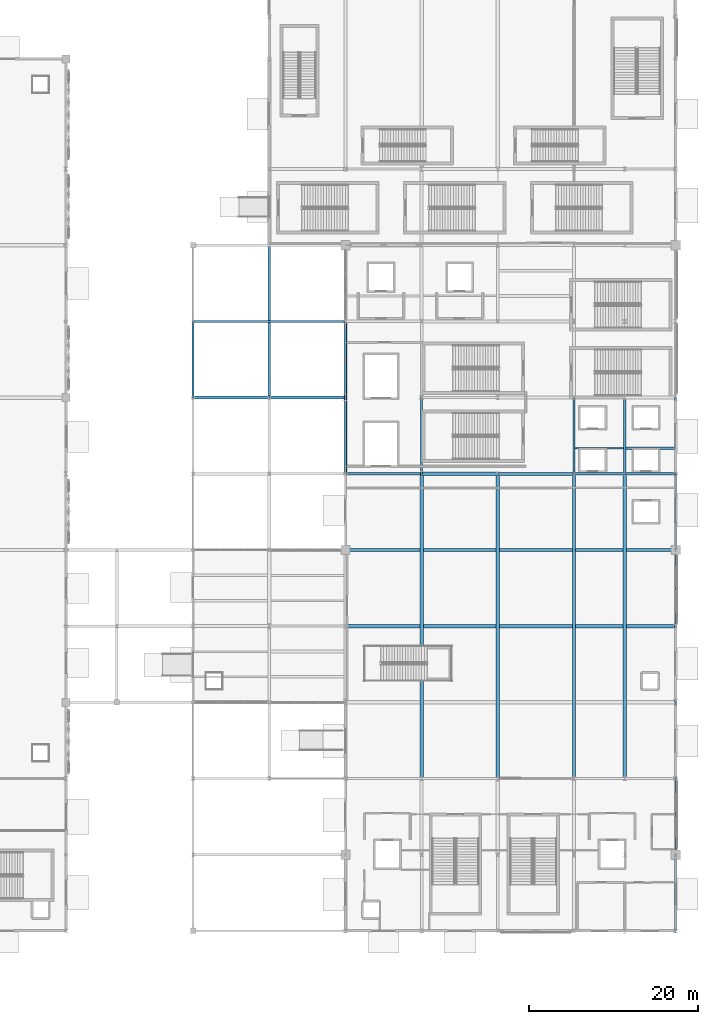
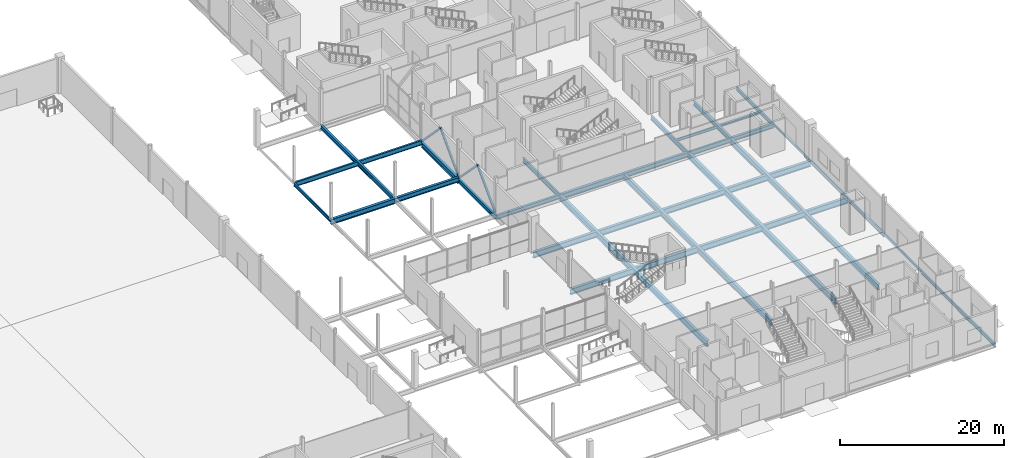
# One storey, part 34 of 94: 30 beams, 4 members.
"""IFC4 building model written with IfcOpenShell, lengths in metres."""

from ifc_helpers import new_model, si_unit, direction, frame, origin, origin_2d, place, context, subcontext, project, spatial, hollow_rectangle, i_section, extrude, material, material_profile, profile_set, type_object, element, save


model = new_model("IFC4")

# Units and contexts
model_context = context("Model", 3, precision=1e-05, world=origin(), true_north=direction((0.0, 1.0)))
body_context = subcontext(model_context, "Body", "Model", "MODEL_VIEW")
ifc_project = project(units=[si_unit("LENGTHUNIT", "METRE"), si_unit("AREAUNIT", "SQUARE_METRE"), si_unit("VOLUMEUNIT", "CUBIC_METRE"), si_unit("PLANEANGLEUNIT", "RADIAN"), si_unit("MASSUNIT", "GRAM", prefix="KILO")], contexts=[model_context])

# Site, building, storey
site_placement = place(None, origin())
site = spatial("IfcSite", under=ifc_project, at=site_placement, CompositionType="ELEMENT")
building_placement = place(site_placement, origin())
building = spatial("IfcBuilding", under=site, at=building_placement, Name="Qamarlyn Nura Convention Centre", CompositionType="ELEMENT")
storey_placement = place(building_placement, origin())
storey = spatial("IfcBuildingStorey", under=building, at=storey_placement, Name="L00", CompositionType="ELEMENT", Elevation=0.0)

# Beams
ifc_material_1 = material(Name="Steel ASTM A992", Category="steel")
ifc_material_profile_1 = material_profile(ifc_material_1, i_section(OverallWidth=0.323974609375, OverallDepth=0.611083984375, WebThickness=0.0126953125, FlangeThickness=0.01904296875, FilletRadius=0.01611328125, at=origin_2d()), Name="W610X155")
ifc_profile_set_1 = profile_set([ifc_material_profile_1], Name="Steel ASTM A992")
beam_type_1 = type_object("IfcBeamType", Name="BM-GIRD-610", PredefinedType="BEAM", material=ifc_profile_set_1)
beam_1_placement = place(storey_placement, frame((153.0, 54.0, -0.58544921875), z_axis=(1.0, 0.0, 0.0), x_axis=(0.0, 1.0, 0.0)))
element("IfcBeam", 1, at=beam_1_placement, inside=storey, type_object=beam_type_1, Name="L00 girder G 13-14", PredefinedType="BEAM", context=body_context, shape_type="SweptSolid", body=[
    extrude(i_section(OverallWidth=0.323974609375, OverallDepth=0.611083984375, WebThickness=0.0126953125, FlangeThickness=0.01904296875, FilletRadius=0.01611328125, at=origin_2d()), origin(), (0.0, 0.0, 1.0), 9.0),
])
beam_2_placement = place(storey_placement, frame((186.0, 54.0, -0.58544921875), z_axis=(1.0, 0.0, 0.0), x_axis=(0.0, 1.0, 0.0)))
element("IfcBeam", 2, at=beam_2_placement, inside=storey, type_object=beam_type_1, Name="L00 girder G 17-18", PredefinedType="BEAM", context=body_context, shape_type="SweptSolid", body=[
    extrude(i_section(OverallWidth=0.323974609375, OverallDepth=0.611083984375, WebThickness=0.0126953125, FlangeThickness=0.01904296875, FilletRadius=0.01611328125, at=origin_2d()), origin(), (0.0, 0.0, 1.0), 6.0),
])
beam_3_placement = place(storey_placement, frame((144.0, 63.0, -0.305419921875), z_axis=(0.0, 1.0, 0.0), x_axis=(-1.0, 0.0, 0.0)))
element("IfcBeam", 3, at=beam_3_placement, inside=storey, type_object=beam_type_1, Name="L00 girder 12 H-K", PredefinedType="BEAM", context=body_context, shape_type="SweptSolid", body=[
    extrude(i_section(OverallWidth=0.323974609375, OverallDepth=0.611083984375, WebThickness=0.0126953125, FlangeThickness=0.01904296875, FilletRadius=0.01611328125, at=origin_2d()), origin(), (0.0, 0.0, 1.0), 18.0),
])
for number, where, z_axis, x_axis, name in (
    (4, (153.0, 54.0, -0.5654296875), (0.0, 1.0, 0.0), (-1.0, 0.0, 0.0), "L00 girder 13 G-H"),
    (5, (186.0, 54.0, -0.5654296875), (0.0, 1.0, 0.0), (-1.0, 0.0, 0.0), "L00 girder 17 G-H"),
):
    element("IfcBeam", number, at=place(storey_placement, frame(where, z_axis=z_axis, x_axis=x_axis)), inside=storey, type_object=beam_type_1, Name=name, PredefinedType="BEAM", context=body_context, shape_type="SweptSolid", body=[
        extrude(i_section(OverallWidth=0.323974609375, OverallDepth=0.611083984375, WebThickness=0.0126953125, FlangeThickness=0.01904296875, FilletRadius=0.01611328125, at=origin_2d()), origin(), (0.0, 0.0, 1.0), 9.0),
    ])
ifc_material_profile_2 = material_profile(ifc_material_1, i_section(OverallWidth=0.35498046875, OverallDepth=0.695068359375, WebThickness=0.015380859375, FlangeThickness=0.02490234375, FilletRadius=0.01806640625, at=origin_2d()), Name="W690X217")
ifc_profile_set_2 = profile_set([ifc_material_profile_2], Name="Steel ASTM A992")
beam_type_2 = type_object("IfcBeamType", Name="BM-GIRD-690A", PredefinedType="BEAM", material=ifc_profile_set_2)
for number, where, z_axis, x_axis, name in (
    (6, (171.0, 54.0, -0.62744140625), (1.0, 0.0, 0.0), (0.0, 1.0, 0.0), "L00 girder G 15-16"),
    (7, (144.0, 63.0, -0.347412109375), (1.0, 0.0, 0.0), (0.0, 1.0, 0.0), "L00 girder H 12-13"),
):
    element("IfcBeam", number, at=place(storey_placement, frame(where, z_axis=z_axis, x_axis=x_axis)), inside=storey, type_object=beam_type_2, Name=name, PredefinedType="BEAM", context=body_context, shape_type="SweptSolid", body=[
        extrude(i_section(OverallWidth=0.35498046875, OverallDepth=0.695068359375, WebThickness=0.015380859375, FlangeThickness=0.02490234375, FilletRadius=0.01806640625, at=origin_2d()), origin(), (0.0, 0.0, 1.0), 9.0),
    ])
ifc_material_profile_3 = material_profile(ifc_material_1, i_section(OverallWidth=0.25390625, OverallDepth=0.68408203125, WebThickness=0.012451171875, FlangeThickness=0.01904296875, FilletRadius=0.01806640625, at=origin_2d()), Name="W690X140")
ifc_profile_set_3 = profile_set([ifc_material_profile_3], Name="Steel ASTM A992")
beam_type_3 = type_object("IfcBeamType", Name="BM-GIRD-690B", PredefinedType="BEAM", material=ifc_profile_set_3)
beam_4_placement = place(storey_placement, frame((180.0, 54.0, -0.6220703125), z_axis=(1.0, 0.0, 0.0), x_axis=(0.0, 1.0, 0.0)))
element("IfcBeam", 8, at=beam_4_placement, inside=storey, type_object=beam_type_3, Name="L00 girder G 16-17", PredefinedType="BEAM", context=body_context, shape_type="SweptSolid", body=[
    extrude(i_section(OverallWidth=0.25390625, OverallDepth=0.68408203125, WebThickness=0.012451171875, FlangeThickness=0.01904296875, FilletRadius=0.01806640625, at=origin_2d()), origin(), (0.0, 0.0, 1.0), 6.0),
])
beam_5_placement = place(storey_placement, frame((135.0, 72.0, -0.342041015625), z_axis=(1.0, 0.0, 0.0), x_axis=(0.0, 1.0, 0.0)))
element("IfcBeam", 9, at=beam_5_placement, inside=storey, type_object=beam_type_3, Name="L00 girder J 11-13", PredefinedType="BEAM", context=body_context, shape_type="SweptSolid", body=[
    extrude(i_section(OverallWidth=0.25390625, OverallDepth=0.68408203125, WebThickness=0.012451171875, FlangeThickness=0.01904296875, FilletRadius=0.01806640625, at=origin_2d()), origin(), (0.0, 0.0, 1.0), 18.0),
])
for number, where, z_axis, x_axis, name in (
    (10, (162.0, 54.0, -0.60205078125), (0.0, 1.0, 0.0), (-1.0, 0.0, 0.0), "L00 girder 14 G-H"),
    (11, (180.0, 54.0, -0.60205078125), (0.0, 1.0, 0.0), (-1.0, 0.0, 0.0), "L00 girder 16 G-H"),
):
    element("IfcBeam", number, at=place(storey_placement, frame(where, z_axis=z_axis, x_axis=x_axis)), inside=storey, type_object=beam_type_3, Name=name, PredefinedType="BEAM", context=body_context, shape_type="SweptSolid", body=[
        extrude(i_section(OverallWidth=0.25390625, OverallDepth=0.68408203125, WebThickness=0.012451171875, FlangeThickness=0.01904296875, FilletRadius=0.01806640625, at=origin_2d()), origin(), (0.0, 0.0, 1.0), 9.0),
    ])
ifc_material_profile_4 = material_profile(ifc_material_1, i_section(OverallWidth=0.381103515625, OverallDepth=0.77294921875, WebThickness=0.0166015625, FlangeThickness=0.027587890625, FilletRadius=0.02001953125, at=origin_2d()), Name="W760X257")
ifc_profile_set_4 = profile_set([ifc_material_profile_4], Name="Steel ASTM A992")
beam_type_4 = type_object("IfcBeamType", Name="BM-GIRD-760", PredefinedType="BEAM", material=ifc_profile_set_4)
for number, where, z_axis, x_axis, name in (
    (12, (162.0, 54.0, -0.66650390625), (1.0, 0.0, 0.0), (0.0, 1.0, 0.0), "L00 girder G 14-15"),
    (13, (135.0, 63.0, -0.386474609375), (1.0, 0.0, 0.0), (0.0, 1.0, 0.0), "L00 girder H 11-12"),
    (14, (153.0, 63.0, -0.646484375), (0.0, 1.0, 0.0), (-1.0, 0.0, 0.0), "L00 girder 13 H-J"),
):
    element("IfcBeam", number, at=place(storey_placement, frame(where, z_axis=z_axis, x_axis=x_axis)), inside=storey, type_object=beam_type_4, Name=name, PredefinedType="BEAM", context=body_context, shape_type="SweptSolid", body=[
        extrude(i_section(OverallWidth=0.381103515625, OverallDepth=0.77294921875, WebThickness=0.0166015625, FlangeThickness=0.027587890625, FilletRadius=0.02001953125, at=origin_2d()), origin(), (0.0, 0.0, 1.0), 9.0),
    ])
ifc_material_profile_5 = material_profile(ifc_material_1, i_section(OverallWidth=0.39990234375, OverallDepth=0.85498046875, WebThickness=0.018310546875, FlangeThickness=0.029296875, FilletRadius=0.02197265625, at=origin_2d()), Name="W840X299")
ifc_profile_set_5 = profile_set([ifc_material_profile_5], Name="Steel ASTM A992")
beam_type_5 = type_object("IfcBeamType", Name="BM-GIRD-840", PredefinedType="BEAM", material=ifc_profile_set_5)
for number, where, z_axis, x_axis, name in (
    (15, (153.0, 36.0, -0.70751953125), (1.0, 0.0, 0.0), (0.0, 1.0, 0.0), "L00 girder E 13-18"),
    (16, (153.0, 45.0, -0.70751953125), (1.0, 0.0, 0.0), (0.0, 1.0, 0.0), "L00 girder F 13-18"),
):
    element("IfcBeam", number, at=place(storey_placement, frame(where, z_axis=z_axis, x_axis=x_axis)), inside=storey, type_object=beam_type_5, Name=name, PredefinedType="BEAM", context=body_context, shape_type="SweptSolid", body=[
        extrude(i_section(OverallWidth=0.39990234375, OverallDepth=0.85498046875, WebThickness=0.018310546875, FlangeThickness=0.029296875, FilletRadius=0.02197265625, at=origin_2d()), origin(), (0.0, 0.0, 1.0), 39.0),
    ])
for number, where, z_axis, x_axis, name in (
    (17, (162.0, 18.0, -0.70751953125), (0.0, 1.0, 0.0), (-1.0, 0.0, 0.0), "L00 girder 14 C-G"),
    (18, (171.0, 18.0, -0.70751953125), (0.0, 1.0, 0.0), (-1.0, 0.0, 0.0), "L00 girder 15 C-G"),
    (19, (180.0, 18.0, -0.70751953125), (0.0, 1.0, 0.0), (-1.0, 0.0, 0.0), "L00 girder 16 C-G"),
    (20, (186.0, 18.0, -0.70751953125), (0.0, 1.0, 0.0), (-1.0, 0.0, 0.0), "L00 girder 17 C-G"),
):
    element("IfcBeam", number, at=place(storey_placement, frame(where, z_axis=z_axis, x_axis=x_axis)), inside=storey, type_object=beam_type_5, Name=name, PredefinedType="BEAM", context=body_context, shape_type="SweptSolid", body=[
        extrude(i_section(OverallWidth=0.39990234375, OverallDepth=0.85498046875, WebThickness=0.018310546875, FlangeThickness=0.029296875, FilletRadius=0.02197265625, at=origin_2d()), origin(), (0.0, 0.0, 1.0), 36.0),
    ])
ifc_material_profile_6 = material_profile(ifc_material_1, i_section(OverallWidth=0.304931640625, OverallDepth=0.30810546875, WebThickness=0.010009765625, FlangeThickness=0.015380859375, FilletRadius=0.014892578125, at=origin_2d()), Name="W310X97")
ifc_profile_set_6 = profile_set([ifc_material_profile_6], Name="Steel ASTM A992")
beam_type_6 = type_object("IfcBeamType", Name="BM-JOIST-310", PredefinedType="JOIST", material=ifc_profile_set_6)
beam_6_placement = place(storey_placement, frame((186.162109375, 57.0, -0.4140625), z_axis=(1.0, 0.0, 0.0), x_axis=(0.0, 1.0, 0.0)))
element("IfcBeam", 21, at=beam_6_placement, inside=storey, type_object=beam_type_6, Name="L00 composite joist 17-18/G+1", PredefinedType="JOIST", context=body_context, shape_type="SweptSolid", body=[
    extrude(i_section(OverallWidth=0.304931640625, OverallDepth=0.30810546875, WebThickness=0.010009765625, FlangeThickness=0.015380859375, FilletRadius=0.014892578125, at=origin_2d()), origin(), (0.0, 0.0, 1.0), 5.732421875),
])
ifc_material_profile_7 = material_profile(ifc_material_1, i_section(OverallWidth=0.177978515625, OverallDepth=0.406982421875, WebThickness=0.0078125, FlangeThickness=0.0126953125, FilletRadius=0.011962890625, at=origin_2d()), Name="W410X60")
ifc_profile_set_7 = profile_set([ifc_material_profile_7], Name="Steel ASTM A992")
beam_type_7 = type_object("IfcBeamType", Name="BM-JOIST-410", PredefinedType="JOIST", material=ifc_profile_set_7)
beam_7_placement = place(storey_placement, frame((180.126953125, 57.0, -0.46337890625), z_axis=(1.0, 0.0, 0.0), x_axis=(0.0, 1.0, 0.0)))
element("IfcBeam", 22, at=beam_7_placement, inside=storey, type_object=beam_type_7, Name="L00 composite joist 16-17/G+1", PredefinedType="JOIST", context=body_context, shape_type="SweptSolid", body=[
    extrude(i_section(OverallWidth=0.177978515625, OverallDepth=0.406982421875, WebThickness=0.0078125, FlangeThickness=0.0126953125, FilletRadius=0.011962890625, at=origin_2d()), origin(), (0.0, 0.0, 1.0), 5.7109375),
])
ifc_material_profile_8 = material_profile(ifc_material_1, i_section(OverallWidth=0.193115234375, OverallDepth=0.466064453125, WebThickness=0.011474609375, FlangeThickness=0.01904296875, FilletRadius=0.012939453125, at=origin_2d()), Name="W460X97")
ifc_profile_set_8 = profile_set([ifc_material_profile_8], Name="Steel ASTM A992")
beam_type_8 = type_object("IfcBeamType", Name="BM-SPAN-460", PredefinedType="SPANDREL", material=ifc_profile_set_8)
for number, where, z_axis, x_axis, name in (
    (23, (135.0, 63.0, -0.23291015625), (0.0, 1.0, 0.0), (-1.0, 0.0, 0.0), "L00 girder 11 H-J"),
    (24, (192.0, 9.0, -0.512939453125), (0.0, 1.0, 0.0), (-1.0, 0.0, 0.0), "L00 girder 18 B-C"),
    (25, (192.0, 36.0, -0.512939453125), (0.0, 1.0, 0.0), (-1.0, 0.0, 0.0), "L00 girder 18 E-F"),
):
    element("IfcBeam", number, at=place(storey_placement, frame(where, z_axis=z_axis, x_axis=x_axis)), inside=storey, type_object=beam_type_8, Name=name, PredefinedType="SPANDREL", context=body_context, shape_type="SweptSolid", body=[
        extrude(i_section(OverallWidth=0.193115234375, OverallDepth=0.466064453125, WebThickness=0.011474609375, FlangeThickness=0.01904296875, FilletRadius=0.012939453125, at=origin_2d()), origin(), (0.0, 0.0, 1.0), 9.0),
    ])
ifc_material_profile_9 = material_profile(ifc_material_1, i_section(OverallWidth=0.2109375, OverallDepth=0.5390625, WebThickness=0.01171875, FlangeThickness=0.018798828125, FilletRadius=0.013916015625, at=origin_2d()), Name="W530X109")
ifc_profile_set_9 = profile_set([ifc_material_profile_9], Name="Steel ASTM A992")
beam_type_9 = type_object("IfcBeamType", Name="BM-SPAN-530", PredefinedType="SPANDREL", material=ifc_profile_set_9)
for number, where, z_axis, x_axis, name in (
    (26, (192.0, 0.0, -0.549560546875), (0.0, 1.0, 0.0), (-1.0, 0.0, 0.0), "L00 girder 18 A-B"),
    (27, (192.0, 27.0, -0.549560546875), (0.0, 1.0, 0.0), (-1.0, 0.0, 0.0), "L00 girder 18 D-E"),
    (28, (192.0, 54.0, -0.529541015625), (0.0, 1.0, 0.0), (-1.0, 0.0, 0.0), "L00 girder 18 G-H"),
):
    element("IfcBeam", number, at=place(storey_placement, frame(where, z_axis=z_axis, x_axis=x_axis)), inside=storey, type_object=beam_type_9, Name=name, PredefinedType="SPANDREL", context=body_context, shape_type="SweptSolid", body=[
        extrude(i_section(OverallWidth=0.2109375, OverallDepth=0.5390625, WebThickness=0.01171875, FlangeThickness=0.018798828125, FilletRadius=0.013916015625, at=origin_2d()), origin(), (0.0, 0.0, 1.0), 9.0),
    ])
ifc_material_2 = material(Name="Steel ASTM A500 Grade C", Category="steel")
ifc_material_profile_10 = material_profile(ifc_material_2, hollow_rectangle(XDim=0.199951171875, YDim=0.300048828125, WallThickness=0.012451171875, InnerFilletRadius=0.012451171875, OuterFilletRadius=0.02490234375, at=origin_2d()), Name="HSS300X200X12.5")
ifc_profile_set_10 = profile_set([ifc_material_profile_10], Name="Steel ASTM A500 Grade C")
beam_type_10 = type_object("IfcBeamType", Name="BM-SPAN-HSS", PredefinedType="SPANDREL", material=ifc_profile_set_10)
for number, where, z_axis, x_axis, name in (
    (29, (192.0, 18.0, -0.429931640625), (0.0, 1.0, 0.0), (-1.0, 0.0, 0.0), "L00 girder 18 C-D"),
    (30, (192.0, 45.0, -0.429931640625), (0.0, 1.0, 0.0), (-1.0, 0.0, 0.0), "L00 girder 18 F-G"),
):
    element("IfcBeam", number, at=place(storey_placement, frame(where, z_axis=z_axis, x_axis=x_axis)), inside=storey, type_object=beam_type_10, Name=name, PredefinedType="SPANDREL", context=body_context, shape_type="SweptSolid", body=[
        extrude(hollow_rectangle(XDim=0.199951171875, YDim=0.300048828125, WallThickness=0.012451171875, InnerFilletRadius=0.012451171875, OuterFilletRadius=0.02490234375, at=origin_2d()), origin(), (0.0, 0.0, 1.0), 9.0),
    ])

# Members
ifc_material_profile_11 = material_profile(ifc_material_2, hollow_rectangle(XDim=0.25, YDim=0.25, WallThickness=0.012451171875, InnerFilletRadius=0.012451171875, OuterFilletRadius=0.02490234375, at=origin_2d()), Name="HSS250X250X12.5")
ifc_profile_set_11 = profile_set([ifc_material_profile_11], Name="Steel ASTM A500 Grade C")
member_type = type_object("IfcMemberType", Name="CBF-BRC-250", PredefinedType="BRACE", material=ifc_profile_set_11)
for number, where, z_axis, x_axis, name in (
    (31, (153.0, 63.179931640625, 0.0), (0.0, 0.693731336824, 0.720233873342), (-1.0, 0.0, 0.0), "L00 SCBF chevron brace CBF-E2L"),
    (32, (153.0, 71.820068359375, 0.0), (0.0, -0.693731336824, 0.720233873342), (1.0, 0.0, 0.0), "L00 SCBF chevron brace CBF-E2R"),
):
    element("IfcMember", number, at=place(storey_placement, frame(where, z_axis=z_axis, x_axis=x_axis)), inside=storey, type_object=member_type, Name=name, PredefinedType="BRACE", context=body_context, shape_type="SweptSolid", body=[
        extrude(hollow_rectangle(XDim=0.25, YDim=0.25, WallThickness=0.012451171875, InnerFilletRadius=0.012451171875, OuterFilletRadius=0.02490234375, at=origin_2d()), origin(), (0.0, 0.0, 1.0), 6.227294921875),
    ])
for number, where, z_axis, x_axis, name in (
    (33, (153.0, 54.179931640625, 0.0), (0.0, 0.700029878955, 0.714113554395), (-1.0, 0.0, 0.0), "L00 SCBF chevron brace CBF-E3L"),
    (34, (153.0, 62.820068359375, 0.0), (0.0, -0.700029878955, 0.714113554395), (1.0, 0.0, 0.0), "L00 SCBF chevron brace CBF-E3R"),
):
    element("IfcMember", number, at=place(storey_placement, frame(where, z_axis=z_axis, x_axis=x_axis)), inside=storey, type_object=member_type, Name=name, PredefinedType="BRACE", context=body_context, shape_type="SweptSolid", body=[
        extrude(hollow_rectangle(XDim=0.25, YDim=0.25, WallThickness=0.012451171875, InnerFilletRadius=0.012451171875, OuterFilletRadius=0.02490234375, at=origin_2d()), origin(), (0.0, 0.0, 1.0), 6.171142578125),
    ])

save(model, "model.ifc")
